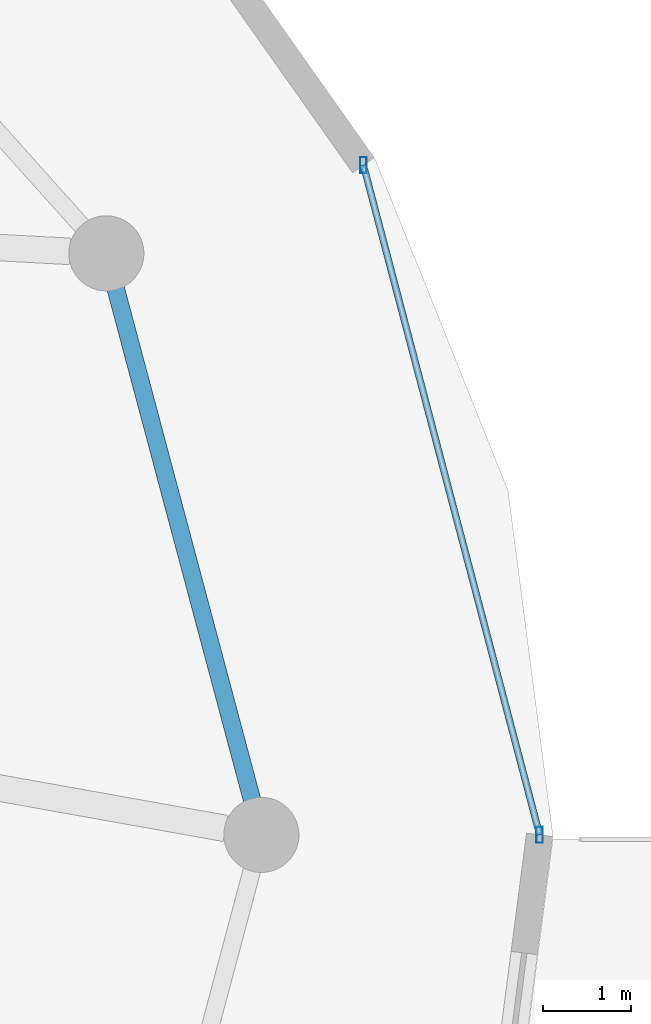
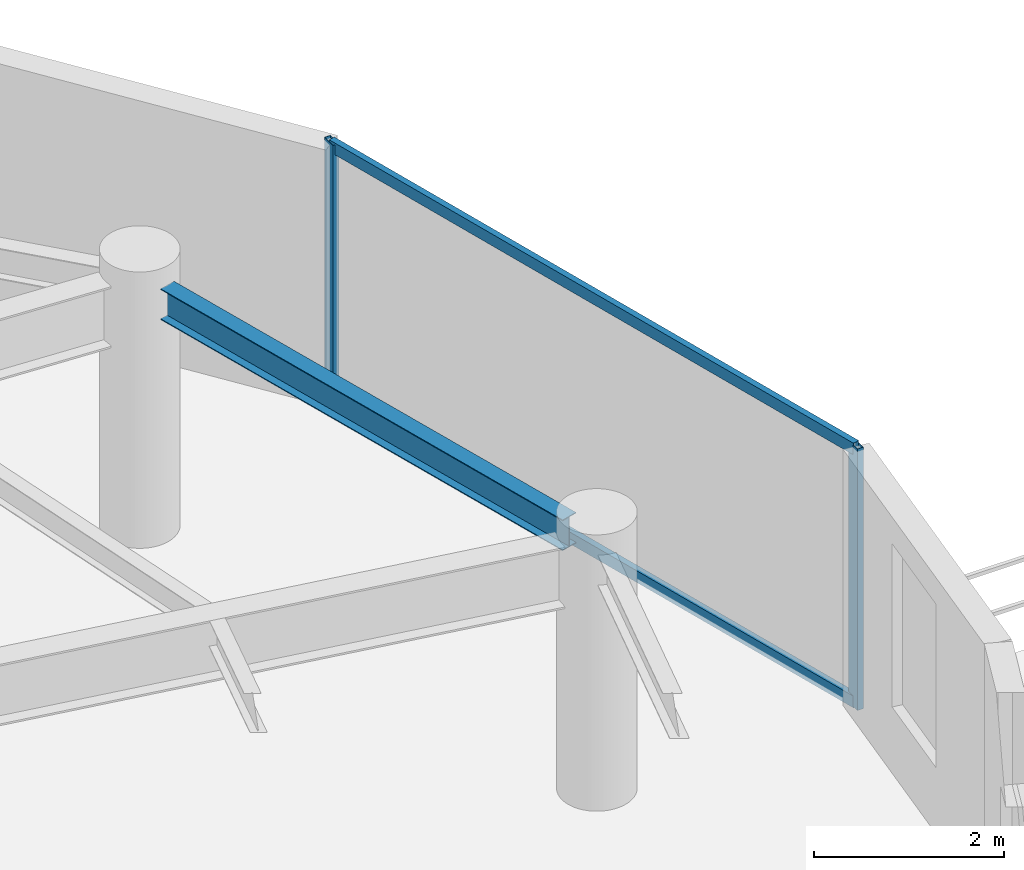
# One storey, part 15 of 30: 4 members, 1 beam, 1 element without a shape of its own.
"""IFC4 building model written with IfcOpenShell, lengths in metres."""

from ifc_helpers import new_model, si_unit, direction, frame, origin, origin_2d, place, context, subcontext, project, spatial, hollow_rectangle, i_section, extrude, material, material_profile, profile_set, type_object, element, aggregate, save


model = new_model("IFC4")

# Units and contexts
model_context = context("Model", 3, precision=1e-05, world=origin(), true_north=direction((0.0, 1.0)))
body_context = subcontext(model_context, "Body", "Model", "MODEL_VIEW")
ifc_project = project(units=[si_unit("LENGTHUNIT", "METRE"), si_unit("AREAUNIT", "SQUARE_METRE"), si_unit("VOLUMEUNIT", "CUBIC_METRE"), si_unit("PLANEANGLEUNIT", "RADIAN"), si_unit("MASSUNIT", "GRAM", prefix="KILO")], contexts=[model_context])

# Site, building, storey
site_placement = place(None, origin())
site = spatial("IfcSite", under=ifc_project, at=site_placement, CompositionType="ELEMENT")
building_placement = place(site_placement, origin())
building = spatial("IfcBuilding", under=site, at=building_placement, Name="Vorneva Point Tower", CompositionType="ELEMENT")
storey_placement = place(building_placement, frame((0.0, 0.0, 241.35009765625)))
storey = spatial("IfcBuildingStorey", under=building, at=storey_placement, Name="L65", CompositionType="ELEMENT", Elevation=241.35009765625)

# Beam
ifc_material_1 = material(Name="Steel S355", Category="steel")
ifc_material_profile_1 = material_profile(ifc_material_1, i_section(OverallWidth=0.198974609375, OverallDepth=0.39599609375, WebThickness=0.007080078125, FlangeThickness=0.010986328125, at=origin_2d()), Name="40B1")
ifc_profile_set_1 = profile_set([ifc_material_profile_1], Name="Steel S355")
beam_type = type_object("IfcBeamType", Name="BM-SPN-40B1", PredefinedType="SPANDREL", material=ifc_profile_set_1)
beam_placement = place(storey_placement, frame((60.9443359375, 26.396240234375, 3.091796875), z_axis=(-0.257586570866, 0.966255224312, 0.0), x_axis=(-0.966255224312, -0.257586570866, 0.0)))
element("IfcBeam", 1, at=beam_placement, inside=storey, type_object=beam_type, Name="L65 Perimeter Spandrel Ring Beam 01", PredefinedType="SPANDREL", context=body_context, shape_type="SweptSolid", body=[
    extrude(i_section(OverallWidth=0.198974609375, OverallDepth=0.39599609375, WebThickness=0.007080078125, FlangeThickness=0.010986328125, at=origin_2d()), origin(), (0.0, 0.0, 1.0), 5.991943359375),
])

# Curtain wall, members
ifc_material_2 = material(Name="Pale anodised aluminium", Category="aluminium")
curtain_wall_type = type_object("IfcCurtainWallType", Name="CW-RES-SYS", PredefinedType="NOTDEFINED", material=ifc_material_2)
curtain_wall_placement = place(storey_placement, origin())
curtain_wall = element("IfcCurtainWall", 2, at=curtain_wall_placement, inside=storey, type_object=curtain_wall_type, Name="L65 Unitised Curtain Wall CW-L65-R01", PredefinedType="NOTDEFINED")
ifc_material_profile_2 = material_profile(ifc_material_2, hollow_rectangle(XDim=0.074951171875, YDim=0.179931640625, WallThickness=0.00390625, at=origin_2d()), Name="AL-MUL 180x75x4")
ifc_profile_set_2 = profile_set([ifc_material_profile_2], Name="Pale anodised aluminium")
member_type_1 = type_object("IfcMemberType", Name="CW-MUL-180", PredefinedType="MULLION", material=ifc_profile_set_2)
member_1_placement = place(storey_placement, frame((64.199951171875, 26.0, -0.0400390625), z_axis=(0.0, 0.0, 1.0), x_axis=(1.0, 0.0, 0.0)))
member_1 = element("IfcMember", 3, at=member_1_placement, type_object=member_type_1, Name="CW-L65-R01 Mullion 01", PredefinedType="MULLION", context=body_context, shape_type="SweptSolid", body=[
    extrude(hollow_rectangle(XDim=0.074951171875, YDim=0.179931640625, WallThickness=0.00390625, at=origin_2d()), origin(), (0.0, 0.0, 1.0), 3.35986328125),
])
member_2_placement = place(storey_placement, frame((62.20556640625, 33.5810546875, -0.0400390625), z_axis=(0.0, 0.0, 1.0), x_axis=(1.0, 0.0, 0.0)))
member_2 = element("IfcMember", 4, at=member_2_placement, type_object=member_type_1, Name="CW-L65-R01 Mullion 02", PredefinedType="MULLION", context=body_context, shape_type="SweptSolid", body=[
    extrude(hollow_rectangle(XDim=0.074951171875, YDim=0.179931640625, WallThickness=0.00390625, at=origin_2d()), origin(), (0.0, 0.0, 1.0), 3.35986328125),
])
ifc_material_profile_3 = material_profile(ifc_material_2, hollow_rectangle(XDim=0.074951171875, YDim=0.14990234375, WallThickness=0.00390625, at=origin_2d()), Name="AL-TRN 150x75x4")
ifc_profile_set_3 = profile_set([ifc_material_profile_3], Name="Pale anodised aluminium")
member_type_2 = type_object("IfcMemberType", Name="CW-TRN-150", PredefinedType="USERDEFINED", material=ifc_profile_set_3)
member_3_placement = place(storey_placement, frame((64.199951171875, 26.0, 0.02001953125), z_axis=(-0.254418180926, 0.967094302131, 0.0), x_axis=(-0.967094302131, -0.254418180926, 0.0)))
member_3 = element("IfcMember", 5, at=member_3_placement, type_object=member_type_2, Name="CW-L65-R01 Transom 01.1", ObjectType="TRANSOM", PredefinedType="USERDEFINED", context=body_context, shape_type="SweptSolid", body=[
    extrude(hollow_rectangle(XDim=0.074951171875, YDim=0.14990234375, WallThickness=0.00390625, at=origin_2d()), origin(), (0.0, 0.0, 1.0), 7.839111328125),
])
member_4_placement = place(storey_placement, frame((64.199951171875, 26.0, 3.27001953125), z_axis=(-0.254418180926, 0.967094302131, 0.0), x_axis=(-0.967094302131, -0.254418180926, 0.0)))
member_4 = element("IfcMember", 6, at=member_4_placement, type_object=member_type_2, Name="CW-L65-R01 Transom 01.2", ObjectType="TRANSOM", PredefinedType="USERDEFINED", context=body_context, shape_type="SweptSolid", body=[
    extrude(hollow_rectangle(XDim=0.074951171875, YDim=0.14990234375, WallThickness=0.00390625, at=origin_2d()), origin(), (0.0, 0.0, 1.0), 7.839111328125),
])
aggregate(curtain_wall, [member_1, member_2, member_3, member_4])

save(model, "model.ifc")
